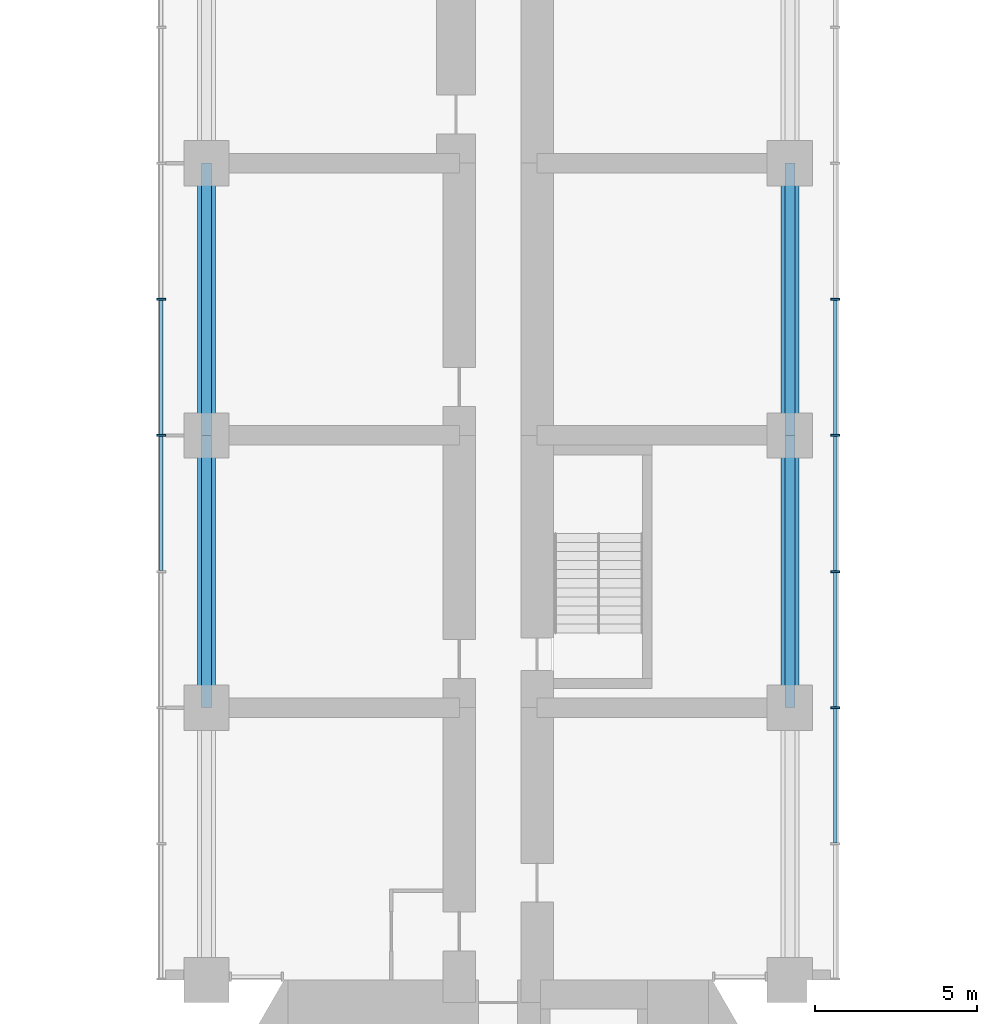
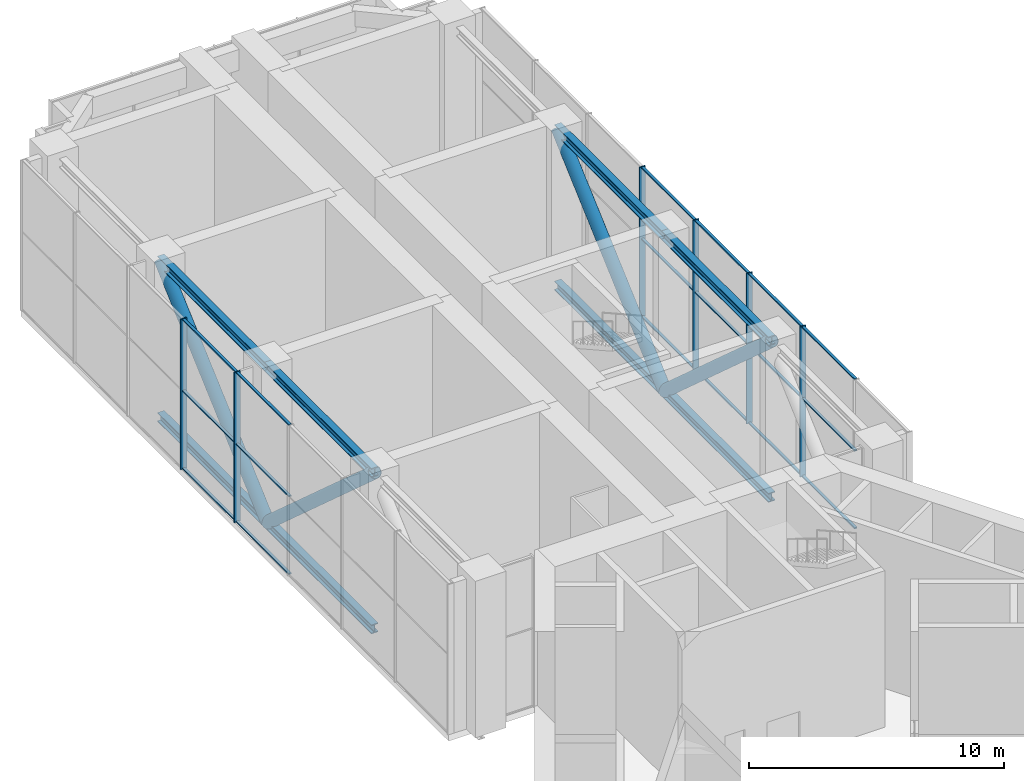
# One storey, part 6 of 19: 36 members, 2 elements without a shape of their own.
"""IFC4 building model written with IfcOpenShell, lengths in metres."""

from ifc_helpers import new_model, si_unit, direction, frame, origin, origin_2d, place, context, subcontext, project, spatial, rectangle, hollow_circle, i_section, extrude, material, material_profile, profile_set, type_object, element, aggregate, save


model = new_model("IFC4")

# Units and contexts
model_context = context("Model", 3, precision=1e-05, world=origin(), true_north=direction((0.0, 1.0)))
body_context = subcontext(model_context, "Body", "Model", "MODEL_VIEW")
ifc_project = project(units=[si_unit("LENGTHUNIT", "METRE"), si_unit("AREAUNIT", "SQUARE_METRE"), si_unit("VOLUMEUNIT", "CUBIC_METRE"), si_unit("PLANEANGLEUNIT", "RADIAN"), si_unit("MASSUNIT", "GRAM", prefix="KILO")], contexts=[model_context])

# Site, building, storey
site_placement = place(None, origin())
site = spatial("IfcSite", under=ifc_project, at=site_placement, CompositionType="ELEMENT")
building_placement = place(site_placement, origin())
building = spatial("IfcBuilding", under=site, at=building_placement, Name="Impinga Residences", CompositionType="ELEMENT")
storey_placement = place(building_placement, frame((0.0, 0.0, 93.5)))
storey = spatial("IfcBuildingStorey", under=building, at=storey_placement, Name="L23", CompositionType="ELEMENT", Elevation=93.5)

# Members
ifc_material_1 = material(Name="Steel S355", Category="steel")
ifc_material_profile_1 = material_profile(ifc_material_1, i_section(OverallWidth=0.306884765625, OverallDepth=0.431884765625, WebThickness=0.02099609375, FlangeThickness=0.0400390625, FilletRadius=0.027099609375, at=origin_2d()), Name="HE 400 M")
ifc_profile_set_1 = profile_set([ifc_material_profile_1], Name="Steel S355")
member_type_1 = type_object("IfcMemberType", Name="BT1 HE 400 M belt truss chord", PredefinedType="CHORD", material=ifc_profile_set_1)
for number, where, z_axis, x_axis, name in (
    (1, (-9.0, 19.83154296875, -0.51611328125), (0.0, 1.0, 0.0), (-1.0, 0.0, 0.0), "Belt truss chord BT1 NA N2-N3 L23"),
    (2, (-9.0, 19.83154296875, 6.98388671875), (0.0, 1.0, 0.0), (-1.0, 0.0, 0.0), "Belt truss chord BT1 NA N2-N3 L23"),
):
    element("IfcMember", number, at=place(storey_placement, frame(where, z_axis=z_axis, x_axis=x_axis)), inside=storey, type_object=member_type_1, Name=name, PredefinedType="CHORD", context=body_context, shape_type="SweptSolid", body=[
        extrude(i_section(OverallWidth=0.306884765625, OverallDepth=0.431884765625, WebThickness=0.02099609375, FlangeThickness=0.0400390625, FilletRadius=0.027099609375, at=origin_2d()), origin(), (0.0, 0.0, 1.0), 8.39990234375),
    ])
for number, where, z_axis, x_axis, name in (
    (3, (-9.0, 28.2314453125, -0.51611328125), (0.0, 1.0, 0.0), (-1.0, 0.0, 0.0), "Belt truss chord BT1 NA N3-N4 L23"),
    (4, (-9.0, 28.2314453125, 6.98388671875), (0.0, 1.0, 0.0), (-1.0, 0.0, 0.0), "Belt truss chord BT1 NA N3-N4 L23"),
):
    element("IfcMember", number, at=place(storey_placement, frame(where, z_axis=z_axis, x_axis=x_axis)), inside=storey, type_object=member_type_1, Name=name, PredefinedType="CHORD", context=body_context, shape_type="SweptSolid", body=[
        extrude(i_section(OverallWidth=0.306884765625, OverallDepth=0.431884765625, WebThickness=0.02099609375, FlangeThickness=0.0400390625, FilletRadius=0.027099609375, at=origin_2d()), origin(), (0.0, 0.0, 1.0), 8.400146484375),
    ])
for number, where, z_axis, x_axis, name in (
    (5, (9.0, 19.83154296875, -0.51611328125), (0.0, 1.0, 0.0), (-1.0, 0.0, 0.0), "Belt truss chord BT1 NF N2-N3 L23"),
    (6, (9.0, 19.83154296875, 6.98388671875), (0.0, 1.0, 0.0), (-1.0, 0.0, 0.0), "Belt truss chord BT1 NF N2-N3 L23"),
):
    element("IfcMember", number, at=place(storey_placement, frame(where, z_axis=z_axis, x_axis=x_axis)), inside=storey, type_object=member_type_1, Name=name, PredefinedType="CHORD", context=body_context, shape_type="SweptSolid", body=[
        extrude(i_section(OverallWidth=0.306884765625, OverallDepth=0.431884765625, WebThickness=0.02099609375, FlangeThickness=0.0400390625, FilletRadius=0.027099609375, at=origin_2d()), origin(), (0.0, 0.0, 1.0), 8.39990234375),
    ])
for number, where, z_axis, x_axis, name in (
    (7, (9.0, 28.2314453125, -0.51611328125), (0.0, 1.0, 0.0), (-1.0, 0.0, 0.0), "Belt truss chord BT1 NF N3-N4 L23"),
    (8, (9.0, 28.2314453125, 6.98388671875), (0.0, 1.0, 0.0), (-1.0, 0.0, 0.0), "Belt truss chord BT1 NF N3-N4 L23"),
):
    element("IfcMember", number, at=place(storey_placement, frame(where, z_axis=z_axis, x_axis=x_axis)), inside=storey, type_object=member_type_1, Name=name, PredefinedType="CHORD", context=body_context, shape_type="SweptSolid", body=[
        extrude(i_section(OverallWidth=0.306884765625, OverallDepth=0.431884765625, WebThickness=0.02099609375, FlangeThickness=0.0400390625, FilletRadius=0.027099609375, at=origin_2d()), origin(), (0.0, 0.0, 1.0), 8.400146484375),
    ])
ifc_material_2 = material(Name="Steel S355J2H", Category="steel")
ifc_material_profile_2 = material_profile(ifc_material_2, hollow_circle(Radius=0.279541015625, WallThickness=0.02001953125, at=origin_2d()), Name="CHS 559x20")
ifc_profile_set_2 = profile_set([ifc_material_profile_2], Name="Steel S355J2H")
member_type_2 = type_object("IfcMemberType", Name="BT2 CHS 559x20 belt truss diagonal at L23", PredefinedType="BRACE", material=ifc_profile_set_2)
for number, where, z_axis, x_axis, name in (
    (9, (-9.0, 19.83154296875, 6.98388671875), (0.0, 0.745933814853, -0.666020077669), (-1.0, 0.0, 0.0), "Belt truss diagonal BT2 NA N2-N3 L23"),
    (10, (-9.0, 28.2314453125, -0.51611328125), (0.0, 0.745943431645, 0.666009306831), (-1.0, 0.0, 0.0), "Belt truss diagonal BT2 NA N3-N4 L23"),
    (11, (9.0, 19.83154296875, 6.98388671875), (0.0, 0.745933814853, -0.666020077669), (-1.0, 0.0, 0.0), "Belt truss diagonal BT2 NF N2-N3 L23"),
    (12, (9.0, 28.2314453125, -0.51611328125), (0.0, 0.745943431645, 0.666009306831), (-1.0, 0.0, 0.0), "Belt truss diagonal BT2 NF N3-N4 L23"),
):
    element("IfcMember", number, at=place(storey_placement, frame(where, z_axis=z_axis, x_axis=x_axis)), inside=storey, type_object=member_type_2, Name=name, PredefinedType="BRACE", context=body_context, shape_type="SweptSolid", body=[
        extrude(hollow_circle(Radius=0.279541015625, WallThickness=0.02001953125, at=origin_2d()), origin(), (0.0, 0.0, 1.0), 11.260986328125),
    ])

# Curtain wall, members
ifc_material_3 = material(Name="Aluminium stick curtain wall", Category="aluminium")
curtain_wall_type = type_object("IfcCurtainWallType", Name="CW4 plant floor louvred curtain wall", PredefinedType="USERDEFINED", material=ifc_material_3)
curtain_wall_1_placement = place(storey_placement, origin())
curtain_wall_1 = element("IfcCurtainWall", 13, at=curtain_wall_1_placement, inside=storey, type_object=curtain_wall_type, Name="Curtain wall CW4 L23", ObjectType="STICK CURTAIN WALL", PredefinedType="USERDEFINED")
ifc_material_4 = material(Name="Aluminium mullion", Category="aluminium")
ifc_material_profile_3 = material_profile(ifc_material_4, rectangle(XDim=0.06005859375, YDim=0.27490234375, at=origin_2d()), Name="60x275 mullion")
ifc_profile_set_3 = profile_set([ifc_material_profile_3], Name="Aluminium mullion")
member_type_3 = type_object("IfcMemberType", Name="CW4-M mullion 60x275", PredefinedType="MULLION", material=ifc_profile_set_3)
member_1_placement = place(storey_placement, frame((-10.39990234375, 28.2314453125, 0.0), z_axis=(0.0, 0.0, 1.0), x_axis=(0.0, 1.0, 0.0)))
member_1 = element("IfcMember", 14, at=member_1_placement, type_object=member_type_3, Name="CW4 mullion 5", PredefinedType="MULLION", context=body_context, shape_type="SweptSolid", body=[
    extrude(rectangle(XDim=0.06005859375, YDim=0.27490234375, at=origin_2d()), origin(), (0.0, 0.0, 1.0), 7.199951171875),
])
member_2_placement = place(storey_placement, frame((-10.39990234375, 32.431640625, 0.0), z_axis=(0.0, 0.0, 1.0), x_axis=(0.0, 1.0, 0.0)))
member_2 = element("IfcMember", 15, at=member_2_placement, type_object=member_type_3, Name="CW4 mullion 6", PredefinedType="MULLION", context=body_context, shape_type="SweptSolid", body=[
    extrude(rectangle(XDim=0.06005859375, YDim=0.27490234375, at=origin_2d()), origin(), (0.0, 0.0, 1.0), 7.199951171875),
])

curtain_wall_2_placement = place(storey_placement, origin())
curtain_wall_2 = element("IfcCurtainWall", 16, at=curtain_wall_2_placement, inside=storey, type_object=curtain_wall_type, Name="Curtain wall CW4 L23", ObjectType="STICK CURTAIN WALL", PredefinedType="USERDEFINED")
member_3_placement = place(storey_placement, frame((10.39990234375, 32.431640625, 0.0), z_axis=(0.0, 0.0, 1.0), x_axis=(0.0, -1.0, 0.0)))
member_3 = element("IfcMember", 17, at=member_3_placement, type_object=member_type_3, Name="CW4 mullion 4", PredefinedType="MULLION", context=body_context, shape_type="SweptSolid", body=[
    extrude(rectangle(XDim=0.06005859375, YDim=0.27490234375, at=origin_2d()), origin(), (0.0, 0.0, 1.0), 7.199951171875),
])
member_4_placement = place(storey_placement, frame((10.39990234375, 28.2314453125, 0.0), z_axis=(0.0, 0.0, 1.0), x_axis=(0.0, -1.0, 0.0)))
member_4 = element("IfcMember", 18, at=member_4_placement, type_object=member_type_3, Name="CW4 mullion 5", PredefinedType="MULLION", context=body_context, shape_type="SweptSolid", body=[
    extrude(rectangle(XDim=0.06005859375, YDim=0.27490234375, at=origin_2d()), origin(), (0.0, 0.0, 1.0), 7.199951171875),
])
member_5_placement = place(storey_placement, frame((10.39990234375, 24.031494140625, 0.0), z_axis=(0.0, 0.0, 1.0), x_axis=(0.0, -1.0, 0.0)))
member_5 = element("IfcMember", 19, at=member_5_placement, type_object=member_type_3, Name="CW4 mullion 6", PredefinedType="MULLION", context=body_context, shape_type="SweptSolid", body=[
    extrude(rectangle(XDim=0.06005859375, YDim=0.27490234375, at=origin_2d()), origin(), (0.0, 0.0, 1.0), 7.199951171875),
])
member_6_placement = place(storey_placement, frame((10.39990234375, 19.83154296875, 0.0), z_axis=(0.0, 0.0, 1.0), x_axis=(0.0, -1.0, 0.0)))
member_6 = element("IfcMember", 20, at=member_6_placement, type_object=member_type_3, Name="CW4 mullion 7", PredefinedType="MULLION", context=body_context, shape_type="SweptSolid", body=[
    extrude(rectangle(XDim=0.06005859375, YDim=0.27490234375, at=origin_2d()), origin(), (0.0, 0.0, 1.0), 7.199951171875),
])

# Member
ifc_material_5 = material(Name="Aluminium transom", Category="aluminium")
ifc_material_profile_4 = material_profile(ifc_material_5, rectangle(XDim=0.06005859375, YDim=0.1201171875, at=origin_2d()), Name="60x120 transom")
ifc_profile_set_4 = profile_set([ifc_material_profile_4], Name="Aluminium transom")
member_type_4 = type_object("IfcMemberType", Name="CW4-T transom 60x120", PredefinedType="USERDEFINED", material=ifc_profile_set_4)
member_7_placement = place(storey_placement, frame((-10.39990234375, 24.0615234375, 0.030029296875), z_axis=(0.0, 1.0, 0.0), x_axis=(0.0, 0.0, 1.0)))
member_7 = element("IfcMember", 21, at=member_7_placement, type_object=member_type_4, Name="CW4 transom 4.1", ObjectType="TRANSOM", PredefinedType="USERDEFINED", context=body_context, shape_type="SweptSolid", body=[
    extrude(rectangle(XDim=0.06005859375, YDim=0.1201171875, at=origin_2d()), origin(), (0.0, 0.0, 1.0), 4.139892578125),
])

member_8_placement = place(storey_placement, frame((-10.39990234375, 24.0615234375, 3.75), z_axis=(0.0, 1.0, 0.0), x_axis=(0.0, 0.0, 1.0)))
member_8 = element("IfcMember", 22, at=member_8_placement, type_object=member_type_4, Name="CW4 transom 4.2", ObjectType="TRANSOM", PredefinedType="USERDEFINED", context=body_context, shape_type="SweptSolid", body=[
    extrude(rectangle(XDim=0.06005859375, YDim=0.1201171875, at=origin_2d()), origin(), (0.0, 0.0, 1.0), 4.139892578125),
])

member_9_placement = place(storey_placement, frame((-10.39990234375, 24.0615234375, 7.169921875), z_axis=(0.0, 1.0, 0.0), x_axis=(0.0, 0.0, 1.0)))
member_9 = element("IfcMember", 23, at=member_9_placement, type_object=member_type_4, Name="CW4 transom 4.3", ObjectType="TRANSOM", PredefinedType="USERDEFINED", context=body_context, shape_type="SweptSolid", body=[
    extrude(rectangle(XDim=0.06005859375, YDim=0.1201171875, at=origin_2d()), origin(), (0.0, 0.0, 1.0), 4.139892578125),
])

member_10_placement = place(storey_placement, frame((-10.39990234375, 28.261474609375, 0.030029296875), z_axis=(0.0, 1.0, 0.0), x_axis=(0.0, 0.0, 1.0)))
member_10 = element("IfcMember", 24, at=member_10_placement, type_object=member_type_4, Name="CW4 transom 5.1", ObjectType="TRANSOM", PredefinedType="USERDEFINED", context=body_context, shape_type="SweptSolid", body=[
    extrude(rectangle(XDim=0.06005859375, YDim=0.1201171875, at=origin_2d()), origin(), (0.0, 0.0, 1.0), 4.14013671875),
])

member_11_placement = place(storey_placement, frame((-10.39990234375, 28.261474609375, 3.75), z_axis=(0.0, 1.0, 0.0), x_axis=(0.0, 0.0, 1.0)))
member_11 = element("IfcMember", 25, at=member_11_placement, type_object=member_type_4, Name="CW4 transom 5.2", ObjectType="TRANSOM", PredefinedType="USERDEFINED", context=body_context, shape_type="SweptSolid", body=[
    extrude(rectangle(XDim=0.06005859375, YDim=0.1201171875, at=origin_2d()), origin(), (0.0, 0.0, 1.0), 4.14013671875),
])

member_12_placement = place(storey_placement, frame((-10.39990234375, 28.261474609375, 7.169921875), z_axis=(0.0, 1.0, 0.0), x_axis=(0.0, 0.0, 1.0)))
member_12 = element("IfcMember", 26, at=member_12_placement, type_object=member_type_4, Name="CW4 transom 5.3", ObjectType="TRANSOM", PredefinedType="USERDEFINED", context=body_context, shape_type="SweptSolid", body=[
    extrude(rectangle(XDim=0.06005859375, YDim=0.1201171875, at=origin_2d()), origin(), (0.0, 0.0, 1.0), 4.14013671875),
])

aggregate(curtain_wall_1, [member_1, member_2, member_7, member_8, member_9, member_10, member_11, member_12])

member_13_placement = place(storey_placement, frame((10.39990234375, 32.401611328125, 0.030029296875), z_axis=(0.0, -1.0, 0.0), x_axis=(0.0, 0.0, 1.0)))
member_13 = element("IfcMember", 27, at=member_13_placement, type_object=member_type_4, Name="CW4 transom 4.1", ObjectType="TRANSOM", PredefinedType="USERDEFINED", context=body_context, shape_type="SweptSolid", body=[
    extrude(rectangle(XDim=0.06005859375, YDim=0.1201171875, at=origin_2d()), origin(), (0.0, 0.0, 1.0), 4.14013671875),
])

member_14_placement = place(storey_placement, frame((10.39990234375, 32.401611328125, 3.75), z_axis=(0.0, -1.0, 0.0), x_axis=(0.0, 0.0, 1.0)))
member_14 = element("IfcMember", 28, at=member_14_placement, type_object=member_type_4, Name="CW4 transom 4.2", ObjectType="TRANSOM", PredefinedType="USERDEFINED", context=body_context, shape_type="SweptSolid", body=[
    extrude(rectangle(XDim=0.06005859375, YDim=0.1201171875, at=origin_2d()), origin(), (0.0, 0.0, 1.0), 4.14013671875),
])

member_15_placement = place(storey_placement, frame((10.39990234375, 32.401611328125, 7.169921875), z_axis=(0.0, -1.0, 0.0), x_axis=(0.0, 0.0, 1.0)))
member_15 = element("IfcMember", 29, at=member_15_placement, type_object=member_type_4, Name="CW4 transom 4.3", ObjectType="TRANSOM", PredefinedType="USERDEFINED", context=body_context, shape_type="SweptSolid", body=[
    extrude(rectangle(XDim=0.06005859375, YDim=0.1201171875, at=origin_2d()), origin(), (0.0, 0.0, 1.0), 4.14013671875),
])

member_16_placement = place(storey_placement, frame((10.39990234375, 28.201416015625, 0.030029296875), z_axis=(0.0, -1.0, 0.0), x_axis=(0.0, 0.0, 1.0)))
member_16 = element("IfcMember", 30, at=member_16_placement, type_object=member_type_4, Name="CW4 transom 5.1", ObjectType="TRANSOM", PredefinedType="USERDEFINED", context=body_context, shape_type="SweptSolid", body=[
    extrude(rectangle(XDim=0.06005859375, YDim=0.1201171875, at=origin_2d()), origin(), (0.0, 0.0, 1.0), 4.139892578125),
])

member_17_placement = place(storey_placement, frame((10.39990234375, 28.201416015625, 3.75), z_axis=(0.0, -1.0, 0.0), x_axis=(0.0, 0.0, 1.0)))
member_17 = element("IfcMember", 31, at=member_17_placement, type_object=member_type_4, Name="CW4 transom 5.2", ObjectType="TRANSOM", PredefinedType="USERDEFINED", context=body_context, shape_type="SweptSolid", body=[
    extrude(rectangle(XDim=0.06005859375, YDim=0.1201171875, at=origin_2d()), origin(), (0.0, 0.0, 1.0), 4.139892578125),
])

member_18_placement = place(storey_placement, frame((10.39990234375, 28.201416015625, 7.169921875), z_axis=(0.0, -1.0, 0.0), x_axis=(0.0, 0.0, 1.0)))
member_18 = element("IfcMember", 32, at=member_18_placement, type_object=member_type_4, Name="CW4 transom 5.3", ObjectType="TRANSOM", PredefinedType="USERDEFINED", context=body_context, shape_type="SweptSolid", body=[
    extrude(rectangle(XDim=0.06005859375, YDim=0.1201171875, at=origin_2d()), origin(), (0.0, 0.0, 1.0), 4.139892578125),
])

member_19_placement = place(storey_placement, frame((10.39990234375, 24.00146484375, 0.030029296875), z_axis=(0.0, -1.0, 0.0), x_axis=(0.0, 0.0, 1.0)))
member_19 = element("IfcMember", 33, at=member_19_placement, type_object=member_type_4, Name="CW4 transom 6.1", ObjectType="TRANSOM", PredefinedType="USERDEFINED", context=body_context, shape_type="SweptSolid", body=[
    extrude(rectangle(XDim=0.06005859375, YDim=0.1201171875, at=origin_2d()), origin(), (0.0, 0.0, 1.0), 4.139892578125),
])

member_20_placement = place(storey_placement, frame((10.39990234375, 24.00146484375, 3.75), z_axis=(0.0, -1.0, 0.0), x_axis=(0.0, 0.0, 1.0)))
member_20 = element("IfcMember", 34, at=member_20_placement, type_object=member_type_4, Name="CW4 transom 6.2", ObjectType="TRANSOM", PredefinedType="USERDEFINED", context=body_context, shape_type="SweptSolid", body=[
    extrude(rectangle(XDim=0.06005859375, YDim=0.1201171875, at=origin_2d()), origin(), (0.0, 0.0, 1.0), 4.139892578125),
])

member_21_placement = place(storey_placement, frame((10.39990234375, 24.00146484375, 7.169921875), z_axis=(0.0, -1.0, 0.0), x_axis=(0.0, 0.0, 1.0)))
member_21 = element("IfcMember", 35, at=member_21_placement, type_object=member_type_4, Name="CW4 transom 6.3", ObjectType="TRANSOM", PredefinedType="USERDEFINED", context=body_context, shape_type="SweptSolid", body=[
    extrude(rectangle(XDim=0.06005859375, YDim=0.1201171875, at=origin_2d()), origin(), (0.0, 0.0, 1.0), 4.139892578125),
])

member_22_placement = place(storey_placement, frame((10.39990234375, 19.801513671875, 0.030029296875), z_axis=(0.0, -1.0, 0.0), x_axis=(0.0, 0.0, 1.0)))
member_22 = element("IfcMember", 36, at=member_22_placement, type_object=member_type_4, Name="CW4 transom 7.1", ObjectType="TRANSOM", PredefinedType="USERDEFINED", context=body_context, shape_type="SweptSolid", body=[
    extrude(rectangle(XDim=0.06005859375, YDim=0.1201171875, at=origin_2d()), origin(), (0.0, 0.0, 1.0), 4.139892578125),
])

member_23_placement = place(storey_placement, frame((10.39990234375, 19.801513671875, 3.75), z_axis=(0.0, -1.0, 0.0), x_axis=(0.0, 0.0, 1.0)))
member_23 = element("IfcMember", 37, at=member_23_placement, type_object=member_type_4, Name="CW4 transom 7.2", ObjectType="TRANSOM", PredefinedType="USERDEFINED", context=body_context, shape_type="SweptSolid", body=[
    extrude(rectangle(XDim=0.06005859375, YDim=0.1201171875, at=origin_2d()), origin(), (0.0, 0.0, 1.0), 4.139892578125),
])

member_24_placement = place(storey_placement, frame((10.39990234375, 19.801513671875, 7.169921875), z_axis=(0.0, -1.0, 0.0), x_axis=(0.0, 0.0, 1.0)))
member_24 = element("IfcMember", 38, at=member_24_placement, type_object=member_type_4, Name="CW4 transom 7.3", ObjectType="TRANSOM", PredefinedType="USERDEFINED", context=body_context, shape_type="SweptSolid", body=[
    extrude(rectangle(XDim=0.06005859375, YDim=0.1201171875, at=origin_2d()), origin(), (0.0, 0.0, 1.0), 4.139892578125),
])

aggregate(curtain_wall_2, [member_3, member_4, member_5, member_6, member_13, member_14, member_15, member_16, member_17, member_18, member_19, member_20, member_21, member_22, member_23, member_24])

save(model, "model.ifc")
